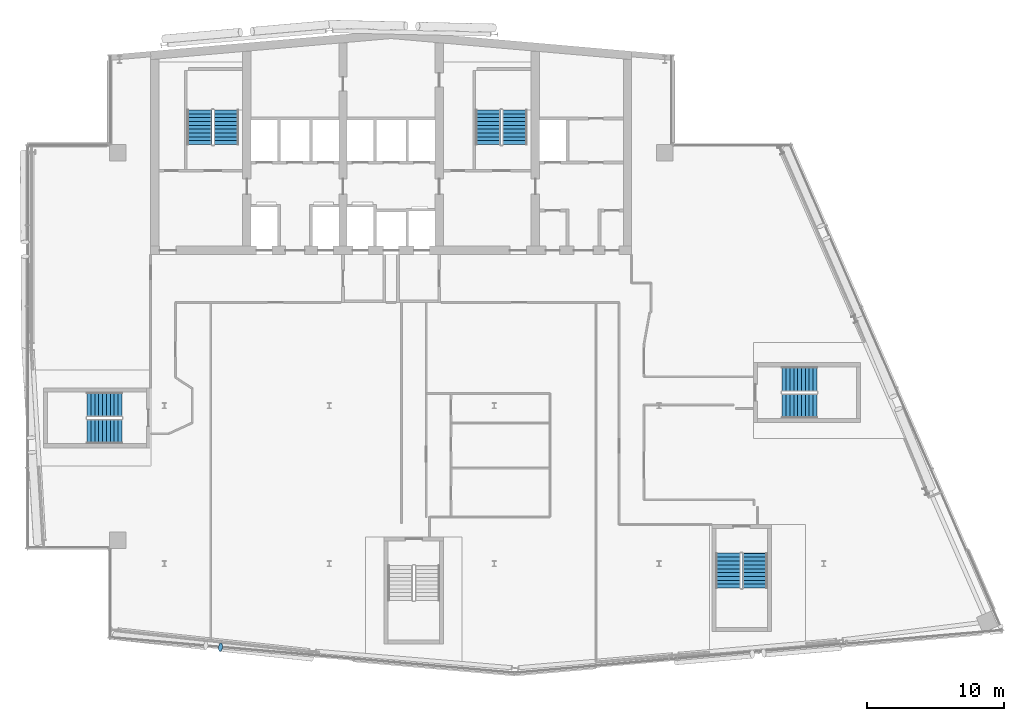
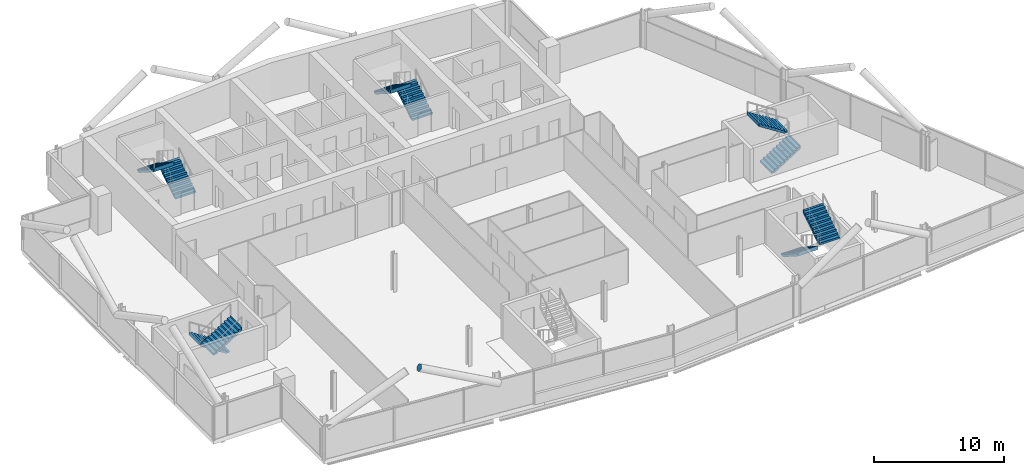
# One storey, part 19 of 25: 10 stair flights, 1 discrete accessory, 5 elements without a shape of their own.
"""IFC4 building model written with IfcOpenShell, lengths in metres."""

from ifc_helpers import new_model, si_unit, direction, frame, origin, origin_2d, place, context, subcontext, project, spatial, polyline, circle, outline, extrude, material, material_profile, profile_set, type_object, element, aggregate, save


model = new_model("IFC4")

# Units and contexts
model_context = context("Model", 3, precision=1e-05, world=origin(), true_north=direction((0.0, 1.0)))
body_context = subcontext(model_context, "Body", "Model", "MODEL_VIEW")
ifc_project = project(units=[si_unit("LENGTHUNIT", "METRE"), si_unit("AREAUNIT", "SQUARE_METRE"), si_unit("VOLUMEUNIT", "CUBIC_METRE"), si_unit("PLANEANGLEUNIT", "RADIAN"), si_unit("MASSUNIT", "GRAM", prefix="KILO")], contexts=[model_context])

# Site, building, storey
site_placement = place(None, origin())
site = spatial("IfcSite", under=ifc_project, at=site_placement, CompositionType="ELEMENT")
building_placement = place(site_placement, origin())
building = spatial("IfcBuilding", under=site, at=building_placement, Name="Wharfspan Tower", CompositionType="ELEMENT")
storey_placement = place(building_placement, frame((0.0, 0.0, 232.300049)))
storey = spatial("IfcBuildingStorey", under=building, at=storey_placement, Name="L58", CompositionType="ELEMENT", Elevation=232.300049)

# Stair, stair flights
ifc_material_1 = material(Name="Concrete C40/50", Category="concrete")
stair_type = type_object("IfcStairType", Name="Half-turn stair 20 risers 180 mm", PredefinedType="HALF_TURN_STAIR", material=ifc_material_1)
stair_1_placement = place(storey_placement, origin())
stair_1 = element("IfcStair", 1, at=stair_1_placement, inside=storey, type_object=stair_type, Name="L58 stair ST1", PredefinedType="HALF_TURN_STAIR")
stair_flight_type = type_object("IfcStairFlightType", Name="Stair flight 20 risers 180 mm", PredefinedType="STRAIGHT", material=ifc_material_1)
stair_flight_1_placement = place(storey_placement, frame((28.5, 42.0, 0.0), z_axis=(0.0, 0.0, 1.0), x_axis=(0.0, 1.0, 0.0)))
stair_flight_1 = element("IfcStairFlight", 2, at=stair_flight_1_placement, type_object=stair_flight_type, Name="ST1 flight 1", NumberOfRisers=10, NumberOfTreads=9, PredefinedType="STRAIGHT", RiserHeight=0.18, TreadLength=0.28, context=body_context, shape_type="SweptSolid", body=[
    extrude(outline(polyline([(-0.011963, 0.0), (-0.011963, 0.179932), (0.0, 0.179932), (0.280029, 0.179932), (0.280029, 0.360107), (0.560059, 0.360107), (0.560059, 0.540039), (0.840088, 0.540039), (0.840088, 0.719971), (1.120117, 0.719971), (1.120117, 0.899902), (1.399902, 0.899902), (1.399902, 1.080078), (1.679932, 1.080078), (1.679932, 1.26001), (1.959961, 1.26001), (1.959961, 1.439941), (2.23999, 1.439941), (2.23999, 1.620117), (2.52002, 1.620117), (2.531982, 1.800049), (2.531982, 1.441895), (0.2771, 0.0), (-0.011963, 0.0)])), frame((0.0, 0.899902, 0.0), z_axis=(0.0, -1.0, 0.0), x_axis=(1.0, 0.0, 0.0)), (0.0, 0.0, 1.0), 0.899414),
    extrude(outline(polyline([(-0.011963, 0.0), (-0.011963, 0.179932), (0.0, 0.179932), (0.280029, 0.179932), (0.280029, 0.360107), (0.560059, 0.360107), (0.560059, 0.540039), (0.840088, 0.540039), (0.840088, 0.719971), (1.120117, 0.719971), (1.120117, 0.899902), (1.399902, 0.899902), (1.399902, 1.080078), (1.679932, 1.080078), (1.679932, 1.26001), (1.959961, 1.26001), (1.959961, 1.439941), (2.23999, 1.439941), (2.23999, 1.620117), (2.52002, 1.620117), (2.531982, 1.800049), (2.531982, 1.441895), (0.2771, 0.0), (-0.011963, 0.0)])), frame((0.0, -0.000488, 0.0), z_axis=(0.0, -1.0, 0.0), x_axis=(1.0, 0.0, 0.0)), (0.0, 0.0, 1.0), 0.899414),
])
stair_flight_2_placement = place(storey_placement, frame((26.550049, 44.52002, 1.800049), z_axis=(0.0, 0.0, 1.0), x_axis=(0.0, -1.0, 0.0)))
stair_flight_2 = element("IfcStairFlight", 3, at=stair_flight_2_placement, type_object=stair_flight_type, Name="ST1 flight 2", NumberOfRisers=10, NumberOfTreads=9, PredefinedType="STRAIGHT", RiserHeight=0.18, TreadLength=0.28, context=body_context, shape_type="SweptSolid", body=[
    extrude(outline(polyline([(-0.011963, 0.0), (-0.011963, 0.179932), (0.0, 0.179932), (0.280029, 0.179932), (0.280029, 0.360107), (0.560059, 0.360107), (0.560059, 0.540039), (0.840088, 0.540039), (0.840088, 0.719971), (1.120117, 0.719971), (1.120117, 0.899902), (1.399902, 0.899902), (1.399902, 1.080078), (1.679932, 1.080078), (1.679932, 1.26001), (1.959961, 1.26001), (1.959961, 1.439941), (2.23999, 1.439941), (2.23999, 1.620117), (2.52002, 1.620117), (2.531982, 1.800049), (2.531982, 1.441895), (0.2771, 0.0), (-0.011963, 0.0)])), frame((0.0, 0.899902, 0.0), z_axis=(0.0, -1.0, 0.0), x_axis=(1.0, 0.0, 0.0)), (0.0, 0.0, 1.0), 0.899414),
    extrude(outline(polyline([(-0.011963, 0.0), (-0.011963, 0.179932), (0.0, 0.179932), (0.280029, 0.179932), (0.280029, 0.360107), (0.560059, 0.360107), (0.560059, 0.540039), (0.840088, 0.540039), (0.840088, 0.719971), (1.120117, 0.719971), (1.120117, 0.899902), (1.399902, 0.899902), (1.399902, 1.080078), (1.679932, 1.080078), (1.679932, 1.26001), (1.959961, 1.26001), (1.959961, 1.439941), (2.23999, 1.439941), (2.23999, 1.620117), (2.52002, 1.620117), (2.531982, 1.800049), (2.531982, 1.441895), (0.2771, 0.0), (-0.011963, 0.0)])), frame((0.0, -0.000488, 0.0), z_axis=(0.0, -1.0, 0.0), x_axis=(1.0, 0.0, 0.0)), (0.0, 0.0, 1.0), 0.899414),
])
aggregate(stair_1, [stair_flight_1, stair_flight_2])

stair_2_placement = place(storey_placement, origin())
stair_2 = element("IfcStair", 4, at=stair_2_placement, inside=storey, type_object=stair_type, Name="L58 stair ST2", PredefinedType="HALF_TURN_STAIR")
stair_flight_3_placement = place(storey_placement, frame((49.5, 42.0, 0.0), z_axis=(0.0, 0.0, 1.0), x_axis=(0.0, 1.0, 0.0)))
stair_flight_3 = element("IfcStairFlight", 5, at=stair_flight_3_placement, type_object=stair_flight_type, Name="ST2 flight 1", NumberOfRisers=10, NumberOfTreads=9, PredefinedType="STRAIGHT", RiserHeight=0.18, TreadLength=0.28, context=body_context, shape_type="SweptSolid", body=[
    extrude(outline(polyline([(-0.011963, 0.0), (-0.011963, 0.179932), (0.0, 0.179932), (0.280029, 0.179932), (0.280029, 0.360107), (0.560059, 0.360107), (0.560059, 0.540039), (0.840088, 0.540039), (0.840088, 0.719971), (1.120117, 0.719971), (1.120117, 0.899902), (1.399902, 0.899902), (1.399902, 1.080078), (1.679932, 1.080078), (1.679932, 1.26001), (1.959961, 1.26001), (1.959961, 1.439941), (2.23999, 1.439941), (2.23999, 1.620117), (2.52002, 1.620117), (2.531982, 1.800049), (2.531982, 1.441895), (0.2771, 0.0), (-0.011963, 0.0)])), frame((0.0, 0.899902, 0.0), z_axis=(0.0, -1.0, 0.0), x_axis=(1.0, 0.0, 0.0)), (0.0, 0.0, 1.0), 0.899414),
    extrude(outline(polyline([(-0.011963, 0.0), (-0.011963, 0.179932), (0.0, 0.179932), (0.280029, 0.179932), (0.280029, 0.360107), (0.560059, 0.360107), (0.560059, 0.540039), (0.840088, 0.540039), (0.840088, 0.719971), (1.120117, 0.719971), (1.120117, 0.899902), (1.399902, 0.899902), (1.399902, 1.080078), (1.679932, 1.080078), (1.679932, 1.26001), (1.959961, 1.26001), (1.959961, 1.439941), (2.23999, 1.439941), (2.23999, 1.620117), (2.52002, 1.620117), (2.531982, 1.800049), (2.531982, 1.441895), (0.2771, 0.0), (-0.011963, 0.0)])), frame((0.0, -0.000488, 0.0), z_axis=(0.0, -1.0, 0.0), x_axis=(1.0, 0.0, 0.0)), (0.0, 0.0, 1.0), 0.899414),
])
stair_flight_4_placement = place(storey_placement, frame((47.550049, 44.52002, 1.800049), z_axis=(0.0, 0.0, 1.0), x_axis=(0.0, -1.0, 0.0)))
stair_flight_4 = element("IfcStairFlight", 6, at=stair_flight_4_placement, type_object=stair_flight_type, Name="ST2 flight 2", NumberOfRisers=10, NumberOfTreads=9, PredefinedType="STRAIGHT", RiserHeight=0.18, TreadLength=0.28, context=body_context, shape_type="SweptSolid", body=[
    extrude(outline(polyline([(-0.011963, 0.0), (-0.011963, 0.179932), (0.0, 0.179932), (0.280029, 0.179932), (0.280029, 0.360107), (0.560059, 0.360107), (0.560059, 0.540039), (0.840088, 0.540039), (0.840088, 0.719971), (1.120117, 0.719971), (1.120117, 0.899902), (1.399902, 0.899902), (1.399902, 1.080078), (1.679932, 1.080078), (1.679932, 1.26001), (1.959961, 1.26001), (1.959961, 1.439941), (2.23999, 1.439941), (2.23999, 1.620117), (2.52002, 1.620117), (2.531982, 1.800049), (2.531982, 1.441895), (0.2771, 0.0), (-0.011963, 0.0)])), frame((0.0, 0.899902, 0.0), z_axis=(0.0, -1.0, 0.0), x_axis=(1.0, 0.0, 0.0)), (0.0, 0.0, 1.0), 0.899414),
    extrude(outline(polyline([(-0.011963, 0.0), (-0.011963, 0.179932), (0.0, 0.179932), (0.280029, 0.179932), (0.280029, 0.360107), (0.560059, 0.360107), (0.560059, 0.540039), (0.840088, 0.540039), (0.840088, 0.719971), (1.120117, 0.719971), (1.120117, 0.899902), (1.399902, 0.899902), (1.399902, 1.080078), (1.679932, 1.080078), (1.679932, 1.26001), (1.959961, 1.26001), (1.959961, 1.439941), (2.23999, 1.439941), (2.23999, 1.620117), (2.52002, 1.620117), (2.531982, 1.800049), (2.531982, 1.441895), (0.2771, 0.0), (-0.011963, 0.0)])), frame((0.0, -0.000488, 0.0), z_axis=(0.0, -1.0, 0.0), x_axis=(1.0, 0.0, 0.0)), (0.0, 0.0, 1.0), 0.899414),
])
aggregate(stair_2, [stair_flight_3, stair_flight_4])

stair_3_placement = place(storey_placement, origin())
stair_3 = element("IfcStair", 7, at=stair_3_placement, inside=storey, type_object=stair_type, Name="L58 stair ST3", PredefinedType="HALF_TURN_STAIR")
stair_flight_5_placement = place(storey_placement, frame((20.899902, 23.074951, 0.0), z_axis=(0.0, 0.0, 1.0), x_axis=(-1.0, 0.0, 0.0)))
stair_flight_5 = element("IfcStairFlight", 8, at=stair_flight_5_placement, type_object=stair_flight_type, Name="ST3 flight 1", NumberOfRisers=10, NumberOfTreads=9, PredefinedType="STRAIGHT", RiserHeight=0.18, TreadLength=0.28, context=body_context, shape_type="SweptSolid", body=[
    extrude(outline(polyline([(-0.011963, 0.0), (-0.011963, 0.179932), (0.0, 0.179932), (0.280029, 0.179932), (0.280029, 0.360107), (0.560059, 0.360107), (0.560059, 0.540039), (0.840088, 0.540039), (0.840088, 0.719971), (1.120117, 0.719971), (1.120117, 0.899902), (1.399902, 0.899902), (1.399902, 1.080078), (1.679932, 1.080078), (1.679932, 1.26001), (1.959961, 1.26001), (1.959961, 1.439941), (2.23999, 1.439941), (2.23999, 1.620117), (2.52002, 1.620117), (2.531982, 1.800049), (2.531982, 1.441895), (0.2771, 0.0), (-0.011963, 0.0)])), frame((0.0, 0.899902, 0.0), z_axis=(0.0, -1.0, 0.0), x_axis=(1.0, 0.0, 0.0)), (0.0, 0.0, 1.0), 0.899414),
    extrude(outline(polyline([(-0.011963, 0.0), (-0.011963, 0.179932), (0.0, 0.179932), (0.280029, 0.179932), (0.280029, 0.360107), (0.560059, 0.360107), (0.560059, 0.540039), (0.840088, 0.540039), (0.840088, 0.719971), (1.120117, 0.719971), (1.120117, 0.899902), (1.399902, 0.899902), (1.399902, 1.080078), (1.679932, 1.080078), (1.679932, 1.26001), (1.959961, 1.26001), (1.959961, 1.439941), (2.23999, 1.439941), (2.23999, 1.620117), (2.52002, 1.620117), (2.531982, 1.800049), (2.531982, 1.441895), (0.2771, 0.0), (-0.011963, 0.0)])), frame((0.0, -0.000488, 0.0), z_axis=(0.0, -1.0, 0.0), x_axis=(1.0, 0.0, 0.0)), (0.0, 0.0, 1.0), 0.899414),
])
stair_flight_6_placement = place(storey_placement, frame((18.379883, 21.125, 1.800049), z_axis=(0.0, 0.0, 1.0), x_axis=(1.0, 0.0, 0.0)))
stair_flight_6 = element("IfcStairFlight", 9, at=stair_flight_6_placement, type_object=stair_flight_type, Name="ST3 flight 2", NumberOfRisers=10, NumberOfTreads=9, PredefinedType="STRAIGHT", RiserHeight=0.18, TreadLength=0.28, context=body_context, shape_type="SweptSolid", body=[
    extrude(outline(polyline([(-0.011963, 0.0), (-0.011963, 0.179932), (0.0, 0.179932), (0.280029, 0.179932), (0.280029, 0.360107), (0.560059, 0.360107), (0.560059, 0.540039), (0.840088, 0.540039), (0.840088, 0.719971), (1.120117, 0.719971), (1.120117, 0.899902), (1.399902, 0.899902), (1.399902, 1.080078), (1.679932, 1.080078), (1.679932, 1.26001), (1.959961, 1.26001), (1.959961, 1.439941), (2.23999, 1.439941), (2.23999, 1.620117), (2.52002, 1.620117), (2.531982, 1.800049), (2.531982, 1.441895), (0.2771, 0.0), (-0.011963, 0.0)])), frame((0.0, 0.899902, 0.0), z_axis=(0.0, -1.0, 0.0), x_axis=(1.0, 0.0, 0.0)), (0.0, 0.0, 1.0), 0.899414),
    extrude(outline(polyline([(-0.011963, 0.0), (-0.011963, 0.179932), (0.0, 0.179932), (0.280029, 0.179932), (0.280029, 0.360107), (0.560059, 0.360107), (0.560059, 0.540039), (0.840088, 0.540039), (0.840088, 0.719971), (1.120117, 0.719971), (1.120117, 0.899902), (1.399902, 0.899902), (1.399902, 1.080078), (1.679932, 1.080078), (1.679932, 1.26001), (1.959961, 1.26001), (1.959961, 1.439941), (2.23999, 1.439941), (2.23999, 1.620117), (2.52002, 1.620117), (2.531982, 1.800049), (2.531982, 1.441895), (0.2771, 0.0), (-0.011963, 0.0)])), frame((0.0, -0.000488, 0.0), z_axis=(0.0, -1.0, 0.0), x_axis=(1.0, 0.0, 0.0)), (0.0, 0.0, 1.0), 0.899414),
])
aggregate(stair_3, [stair_flight_5, stair_flight_6])

stair_4_placement = place(storey_placement, origin())
stair_4 = element("IfcStair", 10, at=stair_4_placement, inside=storey, type_object=stair_type, Name="L58 stair ST5", PredefinedType="HALF_TURN_STAIR")
stair_flight_7_placement = place(storey_placement, frame((65.043701, 12.246094, 0.0), z_axis=(0.0, 0.0, 1.0), x_axis=(0.0, -1.0, 0.0)))
stair_flight_7 = element("IfcStairFlight", 11, at=stair_flight_7_placement, type_object=stair_flight_type, Name="ST5 flight 1", NumberOfRisers=10, NumberOfTreads=9, PredefinedType="STRAIGHT", RiserHeight=0.18, TreadLength=0.28, context=body_context, shape_type="SweptSolid", body=[
    extrude(outline(polyline([(-0.011963, 0.0), (-0.011963, 0.179932), (0.0, 0.179932), (0.280029, 0.179932), (0.280029, 0.360107), (0.560059, 0.360107), (0.560059, 0.540039), (0.840088, 0.540039), (0.840088, 0.719971), (1.120117, 0.719971), (1.120117, 0.899902), (1.399902, 0.899902), (1.399902, 1.080078), (1.679932, 1.080078), (1.679932, 1.26001), (1.959961, 1.26001), (1.959961, 1.439941), (2.23999, 1.439941), (2.23999, 1.620117), (2.52002, 1.620117), (2.531982, 1.800049), (2.531982, 1.441895), (0.2771, 0.0), (-0.011963, 0.0)])), frame((0.0, 0.899902, 0.0), z_axis=(0.0, -1.0, 0.0), x_axis=(1.0, 0.0, 0.0)), (0.0, 0.0, 1.0), 0.899414),
    extrude(outline(polyline([(-0.011963, 0.0), (-0.011963, 0.179932), (0.0, 0.179932), (0.280029, 0.179932), (0.280029, 0.360107), (0.560059, 0.360107), (0.560059, 0.540039), (0.840088, 0.540039), (0.840088, 0.719971), (1.120117, 0.719971), (1.120117, 0.899902), (1.399902, 0.899902), (1.399902, 1.080078), (1.679932, 1.080078), (1.679932, 1.26001), (1.959961, 1.26001), (1.959961, 1.439941), (2.23999, 1.439941), (2.23999, 1.620117), (2.52002, 1.620117), (2.531982, 1.800049), (2.531982, 1.441895), (0.2771, 0.0), (-0.011963, 0.0)])), frame((0.0, -0.000488, 0.0), z_axis=(0.0, -1.0, 0.0), x_axis=(1.0, 0.0, 0.0)), (0.0, 0.0, 1.0), 0.899414),
])
stair_flight_8_placement = place(storey_placement, frame((66.993896, 9.726074, 1.800049), z_axis=(0.0, 0.0, 1.0), x_axis=(0.0, 1.0, 0.0)))
stair_flight_8 = element("IfcStairFlight", 12, at=stair_flight_8_placement, type_object=stair_flight_type, Name="ST5 flight 2", NumberOfRisers=10, NumberOfTreads=9, PredefinedType="STRAIGHT", RiserHeight=0.18, TreadLength=0.28, context=body_context, shape_type="SweptSolid", body=[
    extrude(outline(polyline([(-0.011963, 0.0), (-0.011963, 0.179932), (0.0, 0.179932), (0.280029, 0.179932), (0.280029, 0.360107), (0.560059, 0.360107), (0.560059, 0.540039), (0.840088, 0.540039), (0.840088, 0.719971), (1.120117, 0.719971), (1.120117, 0.899902), (1.399902, 0.899902), (1.399902, 1.080078), (1.679932, 1.080078), (1.679932, 1.26001), (1.959961, 1.26001), (1.959961, 1.439941), (2.23999, 1.439941), (2.23999, 1.620117), (2.52002, 1.620117), (2.531982, 1.800049), (2.531982, 1.441895), (0.2771, 0.0), (-0.011963, 0.0)])), frame((0.0, 0.899902, 0.0), z_axis=(0.0, -1.0, 0.0), x_axis=(1.0, 0.0, 0.0)), (0.0, 0.0, 1.0), 0.899414),
    extrude(outline(polyline([(-0.011963, 0.0), (-0.011963, 0.179932), (0.0, 0.179932), (0.280029, 0.179932), (0.280029, 0.360107), (0.560059, 0.360107), (0.560059, 0.540039), (0.840088, 0.540039), (0.840088, 0.719971), (1.120117, 0.719971), (1.120117, 0.899902), (1.399902, 0.899902), (1.399902, 1.080078), (1.679932, 1.080078), (1.679932, 1.26001), (1.959961, 1.26001), (1.959961, 1.439941), (2.23999, 1.439941), (2.23999, 1.620117), (2.52002, 1.620117), (2.531982, 1.800049), (2.531982, 1.441895), (0.2771, 0.0), (-0.011963, 0.0)])), frame((0.0, -0.000488, 0.0), z_axis=(0.0, -1.0, 0.0), x_axis=(1.0, 0.0, 0.0)), (0.0, 0.0, 1.0), 0.899414),
])
aggregate(stair_4, [stair_flight_7, stair_flight_8])

stair_5_placement = place(storey_placement, origin())
stair_5 = element("IfcStair", 13, at=stair_5_placement, inside=storey, type_object=stair_type, Name="L58 stair ST6", PredefinedType="HALF_TURN_STAIR")
stair_flight_9_placement = place(storey_placement, frame((68.969482, 22.975098, 0.0), z_axis=(0.0, 0.0, 1.0), x_axis=(1.0, 0.0, 0.0)))
stair_flight_9 = element("IfcStairFlight", 14, at=stair_flight_9_placement, type_object=stair_flight_type, Name="ST6 flight 1", NumberOfRisers=10, NumberOfTreads=9, PredefinedType="STRAIGHT", RiserHeight=0.18, TreadLength=0.28, context=body_context, shape_type="SweptSolid", body=[
    extrude(outline(polyline([(-0.011963, 0.0), (-0.011963, 0.179932), (0.0, 0.179932), (0.280029, 0.179932), (0.280029, 0.360107), (0.560059, 0.360107), (0.560059, 0.540039), (0.840088, 0.540039), (0.840088, 0.719971), (1.120117, 0.719971), (1.120117, 0.899902), (1.399902, 0.899902), (1.399902, 1.080078), (1.679932, 1.080078), (1.679932, 1.26001), (1.959961, 1.26001), (1.959961, 1.439941), (2.23999, 1.439941), (2.23999, 1.620117), (2.52002, 1.620117), (2.531982, 1.800049), (2.531982, 1.441895), (0.2771, 0.0), (-0.011963, 0.0)])), frame((0.0, 0.899902, 0.0), z_axis=(0.0, -1.0, 0.0), x_axis=(1.0, 0.0, 0.0)), (0.0, 0.0, 1.0), 0.899414),
    extrude(outline(polyline([(-0.011963, 0.0), (-0.011963, 0.179932), (0.0, 0.179932), (0.280029, 0.179932), (0.280029, 0.360107), (0.560059, 0.360107), (0.560059, 0.540039), (0.840088, 0.540039), (0.840088, 0.719971), (1.120117, 0.719971), (1.120117, 0.899902), (1.399902, 0.899902), (1.399902, 1.080078), (1.679932, 1.080078), (1.679932, 1.26001), (1.959961, 1.26001), (1.959961, 1.439941), (2.23999, 1.439941), (2.23999, 1.620117), (2.52002, 1.620117), (2.531982, 1.800049), (2.531982, 1.441895), (0.2771, 0.0), (-0.011963, 0.0)])), frame((0.0, -0.000488, 0.0), z_axis=(0.0, -1.0, 0.0), x_axis=(1.0, 0.0, 0.0)), (0.0, 0.0, 1.0), 0.899414),
])
stair_flight_10_placement = place(storey_placement, frame((71.489502, 24.925049, 1.800049), z_axis=(0.0, 0.0, 1.0), x_axis=(-1.0, 0.0, 0.0)))
stair_flight_10 = element("IfcStairFlight", 15, at=stair_flight_10_placement, type_object=stair_flight_type, Name="ST6 flight 2", NumberOfRisers=10, NumberOfTreads=9, PredefinedType="STRAIGHT", RiserHeight=0.18, TreadLength=0.28, context=body_context, shape_type="SweptSolid", body=[
    extrude(outline(polyline([(-0.011963, 0.0), (-0.011963, 0.179932), (0.0, 0.179932), (0.280029, 0.179932), (0.280029, 0.360107), (0.560059, 0.360107), (0.560059, 0.540039), (0.840088, 0.540039), (0.840088, 0.719971), (1.120117, 0.719971), (1.120117, 0.899902), (1.399902, 0.899902), (1.399902, 1.080078), (1.679932, 1.080078), (1.679932, 1.26001), (1.959961, 1.26001), (1.959961, 1.439941), (2.23999, 1.439941), (2.23999, 1.620117), (2.52002, 1.620117), (2.531982, 1.800049), (2.531982, 1.441895), (0.2771, 0.0), (-0.011963, 0.0)])), frame((0.0, 0.899902, 0.0), z_axis=(0.0, -1.0, 0.0), x_axis=(1.0, 0.0, 0.0)), (0.0, 0.0, 1.0), 0.899414),
    extrude(outline(polyline([(-0.011963, 0.0), (-0.011963, 0.179932), (0.0, 0.179932), (0.280029, 0.179932), (0.280029, 0.360107), (0.560059, 0.360107), (0.560059, 0.540039), (0.840088, 0.540039), (0.840088, 0.719971), (1.120117, 0.719971), (1.120117, 0.899902), (1.399902, 0.899902), (1.399902, 1.080078), (1.679932, 1.080078), (1.679932, 1.26001), (1.959961, 1.26001), (1.959961, 1.439941), (2.23999, 1.439941), (2.23999, 1.620117), (2.52002, 1.620117), (2.531982, 1.800049), (2.531982, 1.441895), (0.2771, 0.0), (-0.011963, 0.0)])), frame((0.0, -0.000488, 0.0), z_axis=(0.0, -1.0, 0.0), x_axis=(1.0, 0.0, 0.0)), (0.0, 0.0, 1.0), 0.899414),
])
aggregate(stair_5, [stair_flight_9, stair_flight_10])

# Discrete accessory
ifc_material_2 = material(Name="Steel S460NH", Category="steel")
ifc_material_profile = material_profile(ifc_material_2, circle(Radius=0.304932, at=origin_2d()))
ifc_profile_set = profile_set([ifc_material_profile], Name="Steel S460NH")
discrete_accessory_type = type_object("IfcDiscreteAccessoryType", Name="End plate CHS 610x25", PredefinedType="BRACKET", material=ifc_profile_set)
discrete_accessory_placement = place(storey_placement, frame((28.088867, 5.410889, 6.22876), z_axis=(-0.880146, 0.097794, 0.464521), x_axis=(-0.110432, -0.993888, 0.0)))
element("IfcDiscreteAccessory", 16, at=discrete_accessory_placement, inside=storey, type_object=discrete_accessory_type, Name="End plate CHS 610x25", PredefinedType="BRACKET", context=body_context, shape_type="SweptSolid", body=[
    extrude(circle(Radius=0.304932, at=origin_2d()), origin(), (0.0, 0.0, 1.0), 0.01001),
])

save(model, "model.ifc")
